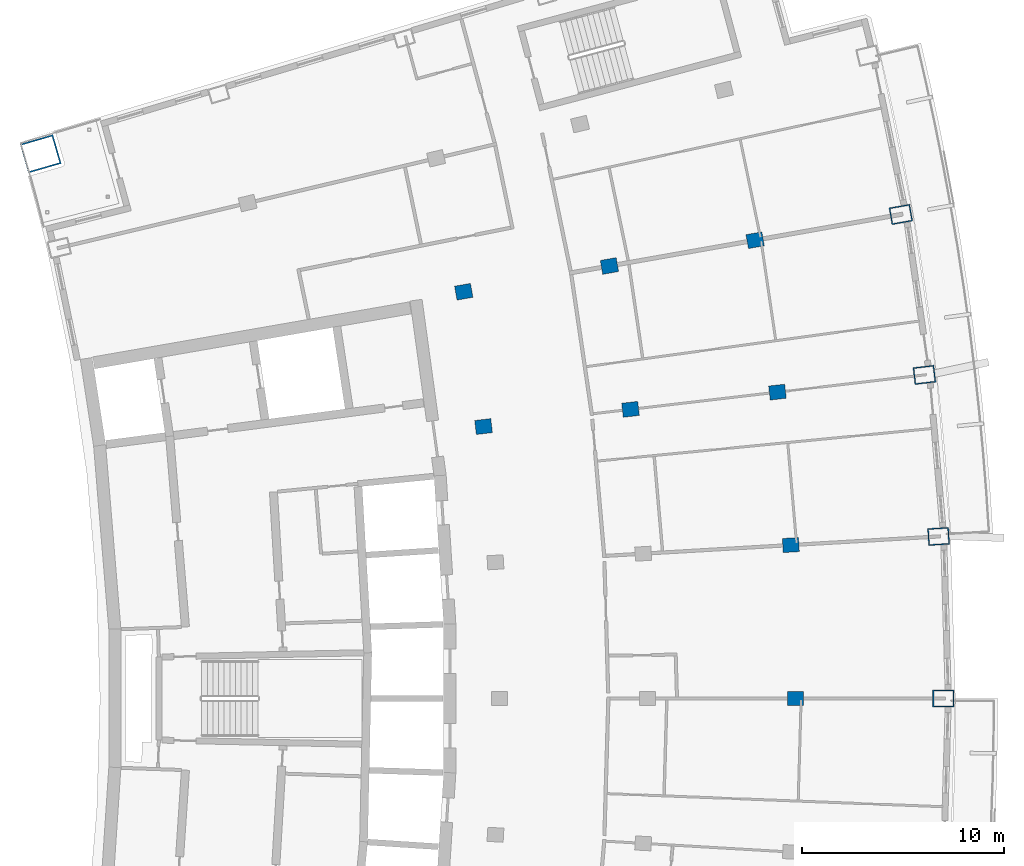
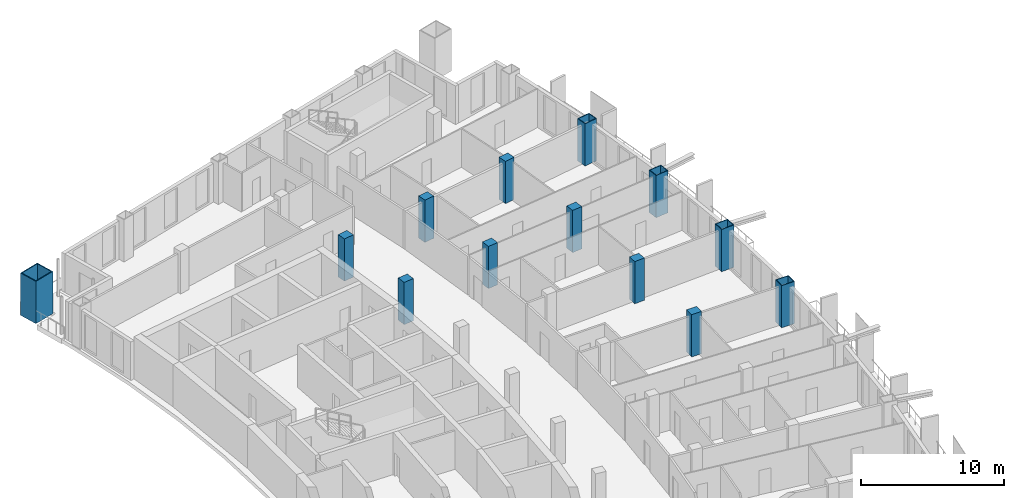
# One storey, part 6 of 17: 13 columns.
"""IFC4 building model written with IfcOpenShell, lengths in metres."""

from ifc_helpers import new_model, si_unit, direction, frame, origin, origin_2d, place, context, subcontext, project, spatial, rectangle, hollow_rectangle, extrude, material, material_profile, profile_set, type_object, element, save


model = new_model("IFC4")

# Units and contexts
model_context = context("Model", 3, precision=1e-05, world=origin(), true_north=direction((0.0, 1.0)))
body_context = subcontext(model_context, "Body", "Model", "MODEL_VIEW")
ifc_project = project(units=[si_unit("LENGTHUNIT", "METRE"), si_unit("AREAUNIT", "SQUARE_METRE"), si_unit("VOLUMEUNIT", "CUBIC_METRE"), si_unit("PLANEANGLEUNIT", "RADIAN"), si_unit("MASSUNIT", "GRAM", prefix="KILO")], contexts=[model_context])

# Site, building, storey
site_placement = place(None, origin())
site = spatial("IfcSite", under=ifc_project, at=site_placement, CompositionType="ELEMENT")
building_placement = place(site_placement, origin())
building = spatial("IfcBuilding", under=site, at=building_placement, Name="Alderwake Tower", CompositionType="ELEMENT")
storey_placement = place(building_placement, frame((0.0, 0.0, 214.39990234375)))
storey = spatial("IfcBuildingStorey", under=building, at=storey_placement, Name="L53", CompositionType="ELEMENT", Elevation=214.39990234375)

# Columns
ifc_material_1 = material(Name="Concrete C70/85", Category="concrete")
ifc_material_profile_1 = material_profile(ifc_material_1, rectangle(XDim=0.699951171875, YDim=0.800048828125, at=origin_2d()), Name="RC 800X700")
ifc_profile_set_1 = profile_set([ifc_material_profile_1], Name="Concrete C70/85")
column_type_1 = type_object("IfcColumnType", Name="Interior column Z4", PredefinedType="COLUMN", material=ifc_profile_set_1)
for number, where, z_axis, x_axis, name in (
    (1, (50.466796875, 61.0, 0.0), (0.0, 0.0, 1.0), (0.0, 1.0, 0.0), "Column R07-C4"),
    (2, (50.244873046875, 68.606201171875, 0.0), (0.0, 0.0, 1.0), (-0.058299318924, 0.998299148258, 0.0), "Column R08-C4"),
    (3, (35.0126953125, 74.4794921875, 0.0), (0.0, 0.0, 1.0), (-0.116402054316, 0.993202175668, 0.0), "Column R09-C2"),
    (4, (42.29638671875, 75.3330078125, 0.0), (0.0, 0.0, 1.0), (-0.116402054316, 0.993202175668, 0.0), "Column R09-C3"),
    (5, (49.579833984375, 76.1865234375, 0.0), (0.0, 0.0, 1.0), (-0.116402054316, 0.993202175668, 0.0), "Column R09-C4"),
    (6, (34.03125, 81.16162109375, 0.0), (0.0, 0.0, 1.0), (-0.174108800747, 0.984726421654, 0.0), "Column R10-C2"),
    (7, (41.252685546875, 82.4384765625, 0.0), (0.0, 0.0, 1.0), (-0.174108800747, 0.984726421654, 0.0), "Column R10-C3"),
    (8, (48.47412109375, 83.71533203125, 0.0), (0.0, 0.0, 1.0), (-0.174108800747, 0.984726421654, 0.0), "Column R10-C4"),
):
    element("IfcColumn", number, at=place(storey_placement, frame(where, z_axis=z_axis, x_axis=x_axis)), inside=storey, type_object=column_type_1, Name=name, PredefinedType="COLUMN", context=body_context, shape_type="SweptSolid", body=[
        extrude(rectangle(XDim=0.699951171875, YDim=0.800048828125, at=origin_2d()), origin(), (0.0, 0.0, 1.0), 3.60009765625),
    ])
ifc_material_2 = material(Name="Steel ASTM A572 Grade 50 concrete filled C70/85", Category="concrete")
ifc_material_profile_2 = material_profile(ifc_material_2, hollow_rectangle(XDim=1.5, YDim=1.699951171875, WallThickness=0.074951171875, at=origin_2d()), Name="BOX 1700X1500X75")
ifc_profile_set_2 = profile_set([ifc_material_profile_2], Name="Steel ASTM A572 Grade 50 concrete filled C70/85")
column_type_2 = type_object("IfcColumnType", Name="Mega column Z4", PredefinedType="COLUMN", material=ifc_profile_set_2)
column_placement = place(storey_placement, frame((13.06298828125, 87.99755859375, 0.0), z_axis=(0.0, 0.0, 1.0), x_axis=(-0.278612301868, 0.960403657452, 0.0)))
element("IfcColumn", 9, at=column_placement, inside=storey, type_object=column_type_2, Name="Column R12-C0", PredefinedType="COLUMN", context=body_context, shape_type="SweptSolid", body=[
    extrude(hollow_rectangle(XDim=1.5, YDim=1.699951171875, WallThickness=0.074951171875, at=origin_2d()), origin(), (0.0, 0.0, 1.0), 3.60009765625),
])
ifc_material_3 = material(Name="Steel ASTM A572 Grade 50 concrete filled C70/85", Category="concrete")
ifc_material_profile_3 = material_profile(ifc_material_3, hollow_rectangle(XDim=0.85009765625, YDim=1.050048828125, WallThickness=0.054931640625, at=origin_2d()), Name="BOX 1050X850X55")
ifc_profile_set_3 = profile_set([ifc_material_profile_3], Name="Steel ASTM A572 Grade 50 concrete filled C70/85")
column_type_3 = type_object("IfcColumnType", Name="Perimeter column Z4", PredefinedType="COLUMN", material=ifc_profile_set_3)
for number, where, z_axis, x_axis, name in (
    (10, (57.800048828125, 61.0, 0.0), (0.0, 0.0, 1.0), (0.0, 1.0, 0.0), "Column R07-C5"),
    (11, (57.565673828125, 69.03369140625, 0.0), (0.0, 0.0, 1.0), (-0.058301061284, 0.998299046505, 0.0), "Column R08-C5"),
    (12, (56.86328125, 77.040283203125, 0.0), (0.0, 0.0, 1.0), (-0.116402054316, 0.993202175668, 0.0), "Column R09-C5"),
    (13, (55.6953125, 84.9921875, 0.0), (0.0, 0.0, 1.0), (-0.174108800747, 0.984726421654, 0.0), "Column R10-C5"),
):
    element("IfcColumn", number, at=place(storey_placement, frame(where, z_axis=z_axis, x_axis=x_axis)), inside=storey, type_object=column_type_3, Name=name, PredefinedType="COLUMN", context=body_context, shape_type="SweptSolid", body=[
        extrude(hollow_rectangle(XDim=0.85009765625, YDim=1.050048828125, WallThickness=0.054931640625, at=origin_2d()), origin(), (0.0, 0.0, 1.0), 3.60009765625),
    ])

save(model, "model.ifc")
